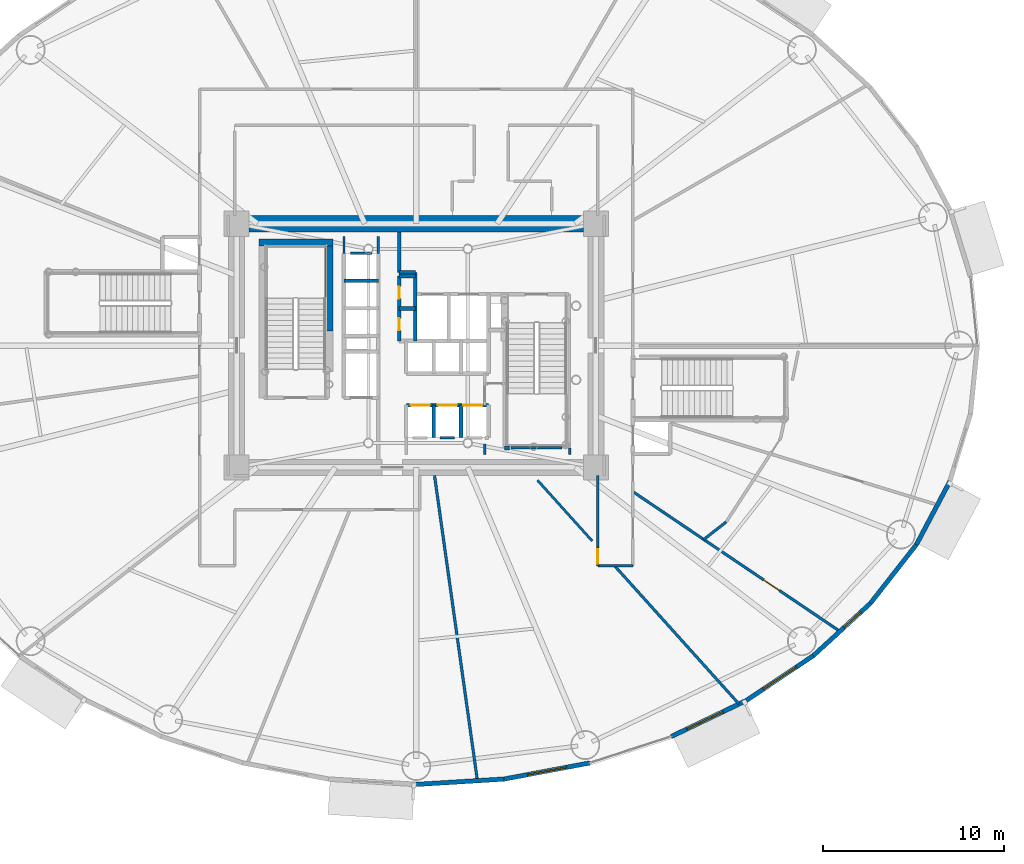
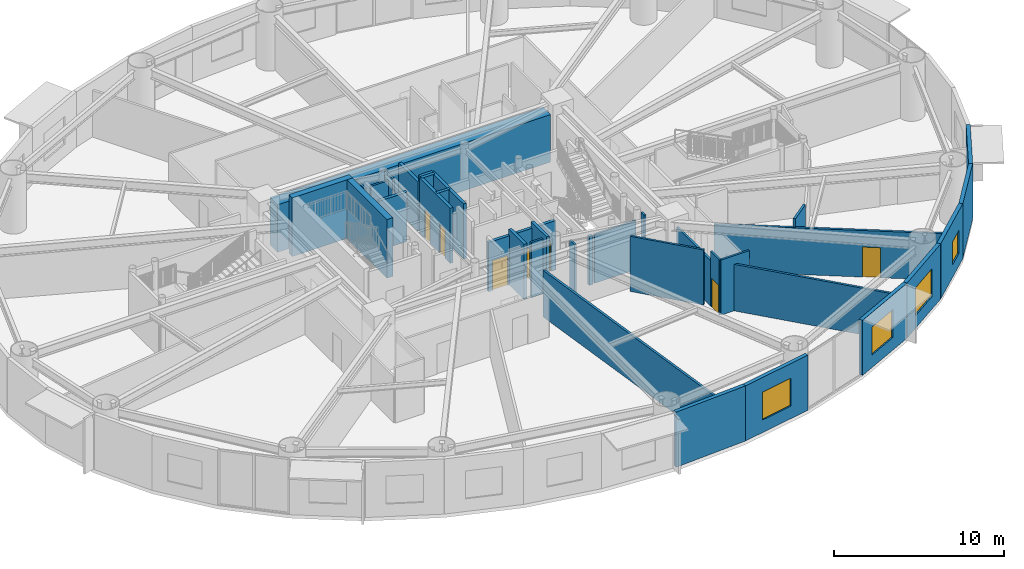
# One storey, part 14 of 29: 36 walls, 7 doors, 4 windows, 11 openings.
"""IFC4 building model written with IfcOpenShell, lengths in metres."""

import ifcopenshell
import ifcopenshell.guid

model = None  # the IFC model being written
_history = None  # IfcOwnerHistory: only IFC2X3 demands one
_inside = {}  # id of a spatial element -> (the spatial element, [elements in it])
_under = {}  # id of a project, library or spatial element -> (it, [spatial elements below it])
_declared = {}  # id of a project -> (the project, [libraries it declares])
_typed = {}  # id of a type object -> (the type object, [elements of that type])
_made_of = {}  # id of a material, layer set ... -> (it, [elements and type objects made of it])


def new_model(schema):
    """Start an empty IFC model of exactly this schema.

    Asked for "IFC4X3", IfcOpenShell would pick the latest addendum, in which some entities
    have other attributes; the version numbers below select the first issue.
    IFC2X3 requires an IfcOwnerHistory on every rooted entity: one is made here for all.
    """
    global model, _history
    if schema == "IFC4X3":
        model = ifcopenshell.file(schema_version=(4, 3, 0, 0))
    else:
        model = ifcopenshell.file(schema=schema)
    _inside.clear()
    _under.clear()
    _declared.clear()
    _typed.clear()
    _made_of.clear()
    _history = None
    if model.schema == "IFC2X3":
        org = make("IfcOrganization", Name="unknown")
        user = make(
            "IfcPersonAndOrganization",
            ThePerson=make("IfcPerson", FamilyName="unknown"),
            TheOrganization=org,
        )
        app = make(
            "IfcApplication",
            ApplicationDeveloper=org,
            Version="unknown",
            ApplicationFullName="unknown",
            ApplicationIdentifier="unknown",
        )
        _history = make(
            "IfcOwnerHistory",
            OwningUser=user,
            OwningApplication=app,
            ChangeAction="ADDED",
            CreationDate=0,
        )
    return model


def make(cls, **values):
    """One entity of the class cls with the attributes given. An attribute that is None is left unset."""
    return model.create_entity(
        cls, **{name: value for name, value in values.items() if value is not None}
    )


def rooted(cls, **values):
    """An entity with a GlobalId (a new one), such as an element, a storey or a relation."""
    return make(cls, GlobalId=ifcopenshell.guid.new(), OwnerHistory=_history, **values)


def si_unit(unit_type, name, prefix=None):
    """IfcSIUnit, for example si_unit("LENGTHUNIT", "METRE", prefix="MILLI")."""
    return make("IfcSIUnit", UnitType=unit_type, Prefix=prefix, Name=name)


def assignment(units):
    """IfcUnitAssignment: the units of a project."""
    return None if units is None else make("IfcUnitAssignment", Units=units)


def point(xyz):
    """IfcCartesianPoint."""
    return None if xyz is None else make("IfcCartesianPoint", Coordinates=xyz)


def direction(xyz):
    """IfcDirection."""
    return None if xyz is None else make("IfcDirection", DirectionRatios=xyz)


def frame(location, z_axis=None, x_axis=None):
    """IfcAxis2Placement3D, a coordinate frame: its origin and axes. An axis left out is left unset."""
    return make(
        "IfcAxis2Placement3D",
        Location=point(location),
        Axis=direction(z_axis),
        RefDirection=direction(x_axis),
    )


def frame_2d(location, x_axis=None):
    """IfcAxis2Placement2D, a coordinate frame in the plane: its origin and x axis."""
    return make(
        "IfcAxis2Placement2D", Location=point(location), RefDirection=direction(x_axis)
    )


def origin():
    """The frame at (0, 0, 0) with its axes left unset."""
    return frame((0.0, 0.0, 0.0))


def origin_2d():
    """The frame at (0, 0) in the plane with its x axis left unset."""
    return frame_2d((0.0, 0.0))


def place(relative_to, where):
    """IfcLocalPlacement: puts the frame where relative to a parent placement (None: the world)."""
    return make(
        "IfcLocalPlacement", PlacementRelTo=relative_to, RelativePlacement=where
    )


def context(
    kind, dimensions, precision=None, world=None, true_north=None, identifier=None
):
    """IfcGeometricRepresentationContext, for example the 3D "Model" context."""
    return make(
        "IfcGeometricRepresentationContext",
        ContextIdentifier=identifier,
        ContextType=kind,
        CoordinateSpaceDimension=dimensions,
        Precision=precision,
        WorldCoordinateSystem=world,
        TrueNorth=true_north,
    )


def subcontext(parent, identifier, kind, view, scale=None):
    """IfcGeometricRepresentationSubContext, for example "Body" below "Model"."""
    return make(
        "IfcGeometricRepresentationSubContext",
        ContextIdentifier=identifier,
        ContextType=kind,
        ParentContext=parent,
        TargetScale=scale,
        TargetView=view,
    )


def project(units=None, contexts=None):
    """IfcProject with its units and contexts."""
    return rooted(
        "IfcProject",
        Name="project",
        RepresentationContexts=contexts,
        UnitsInContext=assignment(units),
    )


def spatial(cls, under=None, at=None, **own):
    """A site, building, storey or space (cls), placed at a placement, below another one or the project."""
    s = rooted(cls, ObjectPlacement=at, **own)
    if under is not None:
        _under.setdefault(under.id(), (under, []))[1].append(s)
    return s


def profile(cls, at=None, kind="AREA", **sizes):
    """A parametric profile (cls). Its sizes go by their IFC names, for example OverallWidth=200.0."""
    return make(cls, ProfileType=kind, Position=at, **sizes)


def rectangle(**sizes):
    """IfcRectangleProfileDef."""
    return profile("IfcRectangleProfileDef", **sizes)


def extrude(swept, where, along, depth):
    """IfcExtrudedAreaSolid: the profile swept, set in the frame where, extruded along a direction by depth."""
    return make(
        "IfcExtrudedAreaSolid",
        SweptArea=swept,
        Position=where,
        ExtrudedDirection=direction(along),
        Depth=depth,
    )


def shape(context_of_items, identifier, shape_type, items):
    """IfcShapeRepresentation: the items that make up one representation, for example the "Body"."""
    return make(
        "IfcShapeRepresentation",
        ContextOfItems=context_of_items,
        RepresentationIdentifier=identifier,
        RepresentationType=shape_type,
        Items=items,
    )


def source(mapping_origin, context_of_items, identifier, shape_type, items):
    """IfcRepresentationMap: a shape defined once, which mapped items show again and again."""
    return make(
        "IfcRepresentationMap",
        MappingOrigin=mapping_origin,
        MappedRepresentation=shape(context_of_items, identifier, shape_type, items),
    )


def transform(
    local_origin,
    x_axis=None,
    y_axis=None,
    z_axis=None,
    scale=None,
    scale2=None,
    scale3=None,
    uniform=True,
):
    """IfcCartesianTransformationOperator3D, or its non-uniform kind. x_axis, y_axis, z_axis: its Axis1, 2, 3."""
    if uniform:
        return make(
            "IfcCartesianTransformationOperator3D",
            Axis1=direction(x_axis),
            Axis2=direction(y_axis),
            LocalOrigin=point(local_origin),
            Scale=scale,
            Axis3=direction(z_axis),
        )
    return make(
        "IfcCartesianTransformationOperator3DnonUniform",
        Axis1=direction(x_axis),
        Axis2=direction(y_axis),
        LocalOrigin=point(local_origin),
        Scale=scale,
        Axis3=direction(z_axis),
        Scale2=scale2,
        Scale3=scale3,
    )


def mapped(mapping_source, mapping_target):
    """IfcMappedItem: shows the shape of a source again, moved by a transform."""
    return make(
        "IfcMappedItem", MappingSource=mapping_source, MappingTarget=mapping_target
    )


def material(Name=None, Category=None):
    """IfcMaterial."""
    return make("IfcMaterial", Name=Name, Category=Category)


def layer(
    of_material, thickness, ventilated=None, Name=None, Category=None, Priority=None
):
    """IfcMaterialLayer: one layer of a wall or slab, of a material (None: an air gap)."""
    return make(
        "IfcMaterialLayer",
        Material=of_material,
        LayerThickness=thickness,
        IsVentilated=ventilated,
        Name=Name,
        Category=Category,
        Priority=Priority,
    )


def layer_set(layers, Name=None):
    """IfcMaterialLayerSet."""
    return make("IfcMaterialLayerSet", MaterialLayers=layers, LayerSetName=Name)


def made_of(thing, what):
    """Note that an element or type object is made of a material, layer set ...; save() writes the relation."""
    if what is not None:
        _made_of.setdefault(what.id(), (what, []))[1].append(thing)
    return thing


def type_object(cls, material=None, **own):
    """A type object (cls), such as IfcWallType, which elements share."""
    return made_of(rooted(cls, **own), material)


def element(
    cls,
    number,
    at=None,
    inside=None,
    cuts=None,
    type_object=None,
    material=None,
    context=None,
    identifier="Body",
    shape_type=None,
    held_by="IfcProductDefinitionShape",
    body=None,
    shapes=None,
    **own,
):
    """One element of the class cls, such as IfcWall. Its Tag is "e" and its number.

    at: its placement. inside: the storey or other place that contains it. cuts: it is an
    opening in that element (IfcRelVoidsElement). A single representation is given by context,
    identifier, shape_type and body (its items); several are given by shapes. held_by: the class
    of the entity that holds the representations. save() writes the other relations.
    """
    e = rooted(cls, Tag="e%d" % number, ObjectPlacement=at, **own)
    if body is not None:
        shapes = [shape(context, identifier, shape_type, body)]
    if shapes is not None:
        e.Representation = make(held_by, Representations=shapes)
    if inside is not None:
        _inside.setdefault(inside.id(), (inside, []))[1].append(e)
    if cuts is not None:
        rooted(
            "IfcRelVoidsElement", RelatingBuildingElement=cuts, RelatedOpeningElement=e
        )
    if type_object is not None:
        _typed.setdefault(type_object.id(), (type_object, []))[1].append(e)
    return made_of(e, material)


def fill(opening, filler):
    """IfcRelFillsElement: the door or window that sits in an opening."""
    return rooted(
        "IfcRelFillsElement",
        RelatingOpeningElement=opening,
        RelatedBuildingElement=filler,
    )


def aggregate(whole, parts):
    """IfcRelAggregates: a whole, such as a stair, and the parts it consists of."""
    return rooted("IfcRelAggregates", RelatingObject=whole, RelatedObjects=parts)


def save(model, path):
    """Write the relations noted so far, then the file.

    IfcRelAggregates (storeys below a building ...), IfcRelContainedInSpatialStructure (elements
    in a storey), IfcRelDefinesByType, IfcRelAssociatesMaterial and IfcRelDeclares: one each for
    every whole, place, type object, material and project.
    """
    for whole, parts in _under.values():
        aggregate(whole, parts)
    for where, things in _inside.values():
        rooted(
            "IfcRelContainedInSpatialStructure",
            RelatedElements=things,
            RelatingStructure=where,
        )
    for kind, things in _typed.values():
        rooted("IfcRelDefinesByType", RelatedObjects=things, RelatingType=kind)
    for what, things in _made_of.values():
        rooted("IfcRelAssociatesMaterial", RelatedObjects=things, RelatingMaterial=what)
    for by, libraries in _declared.values():
        rooted("IfcRelDeclares", RelatingContext=by, RelatedDefinitions=libraries)
    model.write(path)


model = new_model("IFC4")

# Units and contexts
model_context = context("Model", 3, precision=1e-05, world=origin(), true_north=direction((0.0, 1.0)))
body_context = subcontext(model_context, "Body", "Model", "MODEL_VIEW")
ifc_project = project(units=[si_unit("LENGTHUNIT", "METRE"), si_unit("AREAUNIT", "SQUARE_METRE"), si_unit("VOLUMEUNIT", "CUBIC_METRE"), si_unit("PLANEANGLEUNIT", "RADIAN"), si_unit("MASSUNIT", "GRAM", prefix="KILO")], contexts=[model_context])

# Site, building, storey
site_placement = place(None, origin())
site = spatial("IfcSite", under=ifc_project, at=site_placement, CompositionType="ELEMENT")
building_placement = place(site_placement, origin())
building = spatial("IfcBuilding", under=site, at=building_placement, Name="Linh Dai School and Residence Tower", CompositionType="ELEMENT")
storey_placement = place(building_placement, frame((0.0, 0.0, 45.0)))
storey = spatial("IfcBuildingStorey", under=building, at=storey_placement, Name="L10", CompositionType="ELEMENT", Elevation=45.0)

# Wall
ifc_material_1 = material(Name="Precast Concrete B45 (C35/45)", Category="concrete")
ifc_layer_1 = layer(ifc_material_1, 0.25)
ifc_layer_set_1 = layer_set([ifc_layer_1], Name="Precast Concrete B45 (C35/45)")
wall_type_1 = type_object("IfcWallType", Name="EW-TC-250", PredefinedType="SOLIDWALL", material=ifc_layer_set_1)
wall_1_placement = place(storey_placement, frame((40.865478515625, 2.994873046875, 0.0), z_axis=(0.0, 0.0, 1.0), x_axis=(-0.998106954071, -0.061502099433, 0.0)))
element("IfcWall", 1, at=wall_1_placement, inside=storey, type_object=wall_type_1, Name="L10 Terracotta Exterior Wall 31", PredefinedType="SOLIDWALL", context=body_context, shape_type="SweptSolid", body=[
    extrude(rectangle(XDim=4.874755859375, YDim=0.25, at=frame_2d((2.4375, 0.0))), origin(), (0.0, 0.0, 1.0), 3.949951171875),
])

# Wall, opening, window
wall_2_placement = place(storey_placement, frame((45.610595703125, 3.88671875, 0.0), z_axis=(0.0, 0.0, 1.0), x_axis=(-0.982791952378, -0.184715939598, 0.0)))
wall_2 = element("IfcWall", 2, at=wall_2_placement, inside=storey, type_object=wall_type_1, Name="L10 Terracotta Exterior Wall 32", PredefinedType="SOLIDWALL", context=body_context, shape_type="SweptSolid", body=[
    extrude(rectangle(XDim=4.828125, YDim=0.25, at=frame_2d((2.4140625, 0.0))), origin(), (0.0, 0.0, 1.0), 3.949951171875),
])
opening_1_placement = place(wall_2_placement, frame((1.314208984375, 0.0, 0.89990234375)))
opening_1 = element("IfcOpeningElement", 3, at=opening_1_placement, cuts=wall_2, Name="Opening W4", PredefinedType="OPENING", context=body_context, shape_type="SweptSolid", body=[
    extrude(rectangle(XDim=2.199951171875, YDim=2.0, at=origin_2d()), frame((1.10009765625, 0.135009765625, 1.0), z_axis=(0.0, -1.0, 0.0), x_axis=(1.0, 0.0, 0.0)), (0.0, 0.0, 1.0), 0.27001953125),
])
ifc_material_2 = material(Name="Acoustic Laminated Low-E Glazing", Category="glass")
window_type_1 = type_object("IfcWindowType", Name="WN-SCH-2200x2000", PartitioningType="TRIPLE_PANEL_VERTICAL", PredefinedType="WINDOW", material=ifc_material_2)
shared_shape_1 = source(origin(), body_context, "Body", "SweptSolid", [
    extrude(rectangle(XDim=2.199951171875, YDim=2.0, at=origin_2d()), frame((1.10009765625, 0.030029296875, 1.0), z_axis=(0.0, -1.0, 0.0), x_axis=(1.0, 0.0, 0.0)), (0.0, 0.0, 1.0), 0.06005859375),
])
window_1_placement = place(opening_1_placement, origin())
window_1 = element("IfcWindow", 4, at=window_1_placement, inside=storey, type_object=window_type_1, Name="L10 Exterior Window 32.1", OverallHeight=2.0, OverallWidth=2.199951171875, PartitioningType="TRIPLE_PANEL_VERTICAL", PredefinedType="WINDOW", context=body_context, shape_type="MappedRepresentation", body=[
    mapped(shared_shape_1, transform((0.0, 0.0, 0.0), x_axis=(1.0, 0.0, 0.0), y_axis=(0.0, 1.0, 0.0), z_axis=(0.0, 0.0, 1.0), scale=1.0)),
])
fill(opening_1, window_1)

wall_3_placement = place(storey_placement, frame((54.277099609375, 7.34423828125, 0.0), z_axis=(0.0, 0.0, 1.0), x_axis=(-0.901601503137, -0.432567601123, 0.0)))
wall_3 = element("IfcWall", 5, at=wall_3_placement, inside=storey, type_object=wall_type_1, Name="L10 Terracotta Exterior Wall 34", PredefinedType="SOLIDWALL", context=body_context, shape_type="SweptSolid", body=[
    extrude(rectangle(XDim=4.61279296875, YDim=0.25, at=frame_2d((2.306396484375, 0.0))), origin(), (0.0, 0.0, 1.0), 3.949951171875),
])
opening_2_placement = place(wall_3_placement, frame((1.444580078125, 0.0, 0.89990234375)))
opening_2 = element("IfcOpeningElement", 6, at=opening_2_placement, cuts=wall_3, Name="Opening W4", PredefinedType="OPENING", context=body_context, shape_type="SweptSolid", body=[
    extrude(rectangle(XDim=2.199951171875, YDim=2.0, at=origin_2d()), frame((1.10009765625, 0.135009765625, 1.0), z_axis=(0.0, -1.0, 0.0), x_axis=(1.0, 0.0, 0.0)), (0.0, 0.0, 1.0), 0.27001953125),
])
window_2_placement = place(opening_2_placement, origin())
window_2 = element("IfcWindow", 7, at=window_2_placement, inside=storey, type_object=window_type_1, Name="L10 Exterior Window 34.1", OverallHeight=2.0, OverallWidth=2.199951171875, PartitioningType="TRIPLE_PANEL_VERTICAL", PredefinedType="WINDOW", context=body_context, shape_type="MappedRepresentation", body=[
    mapped(shared_shape_1, transform((0.0, 0.0, 0.0), x_axis=(1.0, 0.0, 0.0), y_axis=(0.0, 1.0, 0.0), z_axis=(0.0, 0.0, 1.0), scale=1.0)),
])
fill(opening_2, window_2)

wall_4_placement = place(storey_placement, frame((57.984619140625, 9.82373046875, 0.0), z_axis=(0.0, 0.0, 1.0), x_axis=(-0.831240982525, -0.555912249343, 0.0)))
wall_4 = element("IfcWall", 8, at=wall_4_placement, inside=storey, type_object=wall_type_1, Name="L10 Terracotta Exterior Wall 35", PredefinedType="SOLIDWALL", context=body_context, shape_type="SweptSolid", body=[
    extrude(rectangle(XDim=4.460205078125, YDim=0.25, at=frame_2d((2.22998046875, 0.0))), origin(), (0.0, 0.0, 1.0), 3.949951171875),
])
opening_3_placement = place(wall_4_placement, frame((1.13037109375, 0.0, 0.89990234375)))
opening_3 = element("IfcOpeningElement", 9, at=opening_3_placement, cuts=wall_4, Name="Opening W4", PredefinedType="OPENING", context=body_context, shape_type="SweptSolid", body=[
    extrude(rectangle(XDim=2.199951171875, YDim=2.0, at=origin_2d()), frame((1.10009765625, 0.135009765625, 1.0), z_axis=(0.0, -1.0, 0.0), x_axis=(1.0, 0.0, 0.0)), (0.0, 0.0, 1.0), 0.27001953125),
])
window_3_placement = place(opening_3_placement, origin())
window_3 = element("IfcWindow", 10, at=window_3_placement, inside=storey, type_object=window_type_1, Name="L10 Exterior Window 35.1", OverallHeight=2.0, OverallWidth=2.199951171875, PartitioningType="TRIPLE_PANEL_VERTICAL", PredefinedType="WINDOW", context=body_context, shape_type="MappedRepresentation", body=[
    mapped(shared_shape_1, transform((0.0, 0.0, 0.0), x_axis=(1.0, 0.0, 0.0), y_axis=(0.0, 1.0, 0.0), z_axis=(0.0, 0.0, 1.0), scale=1.0)),
])
fill(opening_3, window_3)

wall_5_placement = place(storey_placement, frame((61.149658203125, 12.725341796875, 0.0), z_axis=(0.0, 0.0, 1.0), x_axis=(-0.737116376281, -0.67576582321, 0.0)))
wall_5 = element("IfcWall", 11, at=wall_5_placement, inside=storey, type_object=wall_type_1, Name="L10 Terracotta Exterior Wall 36", PredefinedType="SOLIDWALL", context=body_context, shape_type="SweptSolid", body=[
    extrude(rectangle(XDim=4.293701171875, YDim=0.25, at=frame_2d((2.14697265625, 0.0))), origin(), (0.0, 0.0, 1.0), 3.949951171875),
])
opening_4_placement = place(wall_5_placement, frame((0.731201171875, 0.0, 0.89990234375)))
opening_4 = element("IfcOpeningElement", 12, at=opening_4_placement, cuts=wall_5, Name="Opening W3", PredefinedType="OPENING", context=body_context, shape_type="SweptSolid", body=[
    extrude(rectangle(XDim=1.25, YDim=1.64990234375, at=origin_2d()), frame((0.625, 0.135009765625, 0.824951171875), z_axis=(0.0, -1.0, 0.0), x_axis=(1.0, 0.0, 0.0)), (0.0, 0.0, 1.0), 0.27001953125),
])
ifc_material_3 = material(Name="Double Low-E Insulated Glazing", Category="glass")
window_type_2 = type_object("IfcWindowType", Name="WN-RES-1250x1650", PartitioningType="SINGLE_PANEL", PredefinedType="WINDOW", material=ifc_material_3)
shared_shape_2 = source(origin(), body_context, "Body", "SweptSolid", [
    extrude(rectangle(XDim=1.25, YDim=1.64990234375, at=origin_2d()), frame((0.625, 0.030029296875, 0.824951171875), z_axis=(0.0, -1.0, 0.0), x_axis=(1.0, 0.0, 0.0)), (0.0, 0.0, 1.0), 0.06005859375),
])
window_4_placement = place(opening_4_placement, origin())
window_4 = element("IfcWindow", 13, at=window_4_placement, inside=storey, type_object=window_type_2, Name="L10 Exterior Window 36.1", OverallHeight=1.64990234375, OverallWidth=1.25, PartitioningType="SINGLE_PANEL", PredefinedType="WINDOW", context=body_context, shape_type="MappedRepresentation", body=[
    mapped(shared_shape_2, transform((0.0, 0.0, 0.0), x_axis=(1.0, 0.0, 0.0), y_axis=(0.0, 1.0, 0.0), z_axis=(0.0, 0.0, 1.0), scale=1.0)),
])
fill(opening_4, window_4)

# Walls
wall_6_placement = place(storey_placement, frame((63.694580078125, 15.977294921875, 0.0), z_axis=(0.0, 0.0, 1.0), x_axis=(-0.616295508253, -0.787514981767, 0.0)))
element("IfcWall", 14, at=wall_6_placement, inside=storey, type_object=wall_type_1, Name="L10 Terracotta Exterior Wall 37", PredefinedType="SOLIDWALL", context=body_context, shape_type="SweptSolid", body=[
    extrude(rectangle(XDim=4.12939453125, YDim=0.25, at=frame_2d((2.064697265625, 0.0))), origin(), (0.0, 0.0, 1.0), 3.949951171875),
])
wall_7_placement = place(storey_placement, frame((65.5576171875, 19.49853515625, 0.0), z_axis=(0.0, 0.0, 1.0), x_axis=(-0.467662443071, -0.883907144072, 0.0)))
element("IfcWall", 15, at=wall_7_placement, inside=storey, type_object=wall_type_1, Name="L10 Terracotta Exterior Wall 38", PredefinedType="SOLIDWALL", context=body_context, shape_type="SweptSolid", body=[
    extrude(rectangle(XDim=3.983642578125, YDim=0.25, at=frame_2d((1.99169921875, 0.0))), origin(), (0.0, 0.0, 1.0), 3.949951171875),
])

# Wall, opening, door
ifc_material_4 = material(Name="Autoclaved Aerated Concrete Blockwork", Category="masonry")
ifc_layer_2 = layer(ifc_material_4, 0.135009765625)
ifc_layer_set_2 = layer_set([ifc_layer_2], Name="Autoclaved Aerated Concrete Blockwork")
wall_type_2 = type_object("IfcWallType", Name="IW-CORR-135-EI90", PredefinedType="PARTITIONING", material=ifc_layer_set_2)
wall_8_placement = place(storey_placement, frame((46.050048828125, 14.800048828125, 0.0), z_axis=(0.0, 0.0, 1.0), x_axis=(0.0, 1.0, 0.0)))
wall_8 = element("IfcWall", 16, at=wall_8_placement, inside=storey, type_object=wall_type_2, Name="L10 Interior Partition Wall 057", PredefinedType="PARTITIONING", context=body_context, shape_type="SweptSolid", body=[
    extrude(rectangle(XDim=1.038330078125, YDim=0.135009765625, at=frame_2d((0.51904296875, 0.0))), origin(), (0.0, 0.0, 1.0), 3.949951171875),
])
opening_5_placement = place(wall_8_placement, frame((0.109130859375, 0.0, 0.0)))
opening_5 = element("IfcOpeningElement", 17, at=opening_5_placement, cuts=wall_8, Name="Opening D06", PredefinedType="OPENING", context=body_context, shape_type="SweptSolid", body=[
    extrude(rectangle(XDim=0.820068359375, YDim=2.10009765625, at=origin_2d()), frame((0.41015625, 0.07763671875, 1.050048828125), z_axis=(0.0, -1.0, 0.0), x_axis=(1.0, 0.0, 0.0)), (0.0, 0.0, 1.0), 0.155029296875),
])
ifc_material_5 = material(Name="Moisture-Resistant Timber Bathroom Door", Category="wood")
door_type_1 = type_object("IfcDoorType", Name="DR-WET-820x2100", OperationType="NOTDEFINED", PredefinedType="DOOR", material=ifc_material_5)
shared_shape_3 = source(origin(), body_context, "Body", "SweptSolid", [
    extrude(rectangle(XDim=0.820068359375, YDim=2.10009765625, at=origin_2d()), frame((0.41015625, 0.02490234375, 1.050048828125), z_axis=(0.0, -1.0, 0.0), x_axis=(1.0, 0.0, 0.0)), (0.0, 0.0, 1.0), 0.050048828125),
])
door_1_placement = place(opening_5_placement, origin())
door_1 = element("IfcDoor", 18, at=door_1_placement, inside=storey, type_object=door_type_1, Name="L10 Design and Architecture Studio Door", OperationType="SINGLE_SWING_RIGHT", OverallHeight=2.10009765625, OverallWidth=0.820068359375, PredefinedType="DOOR", context=body_context, shape_type="MappedRepresentation", body=[
    mapped(shared_shape_3, transform((0.0, 0.0, 0.0), x_axis=(1.0, 0.0, 0.0), y_axis=(0.0, 1.0, 0.0), z_axis=(0.0, 0.0, 1.0), scale=1.0)),
])
fill(opening_5, door_1)

# Walls
wall_9_placement = place(storey_placement, frame((46.050048828125, 14.800048828125, 0.0), z_axis=(0.0, 0.0, 1.0), x_axis=(1.0, 0.0, 0.0)))
element("IfcWall", 19, at=wall_9_placement, inside=storey, type_object=wall_type_2, Name="L10 Interior Partition Wall 058", PredefinedType="PARTITIONING", context=body_context, shape_type="SweptSolid", body=[
    extrude(rectangle(XDim=1.949951171875, YDim=0.135009765625, at=frame_2d((0.97509765625, 0.0))), origin(), (0.0, 0.0, 1.0), 3.949951171875),
])
wall_10_placement = place(storey_placement, frame((44.080078125, 21.330078125, 0.0), z_axis=(0.0, 0.0, 1.0), x_axis=(-1.0, 0.0, 0.0)))
element("IfcWall", 20, at=wall_10_placement, inside=storey, type_object=wall_type_2, Name="L10 Interior Partition Wall 074", PredefinedType="PARTITIONING", context=body_context, shape_type="SweptSolid", body=[
    extrude(rectangle(XDim=2.820068359375, YDim=0.135009765625, at=frame_2d((1.41015625, 0.0))), origin(), (0.0, 0.0, 1.0), 3.485107421875),
])
wall_11_placement = place(storey_placement, frame((38.1201171875, 21.89990234375, 0.0), z_axis=(0.0, 0.0, 1.0), x_axis=(-1.0, 0.0, 0.0)))
element("IfcWall", 21, at=wall_11_placement, inside=storey, type_object=wall_type_2, Name="L10 Interior Partition Wall 076", PredefinedType="PARTITIONING", context=body_context, shape_type="SweptSolid", body=[
    extrude(rectangle(XDim=0.800048828125, YDim=0.135009765625, at=frame_2d((0.39990234375, 0.0))), origin(), (0.0, 0.0, 1.0), 3.949951171875),
])
wall_12_placement = place(storey_placement, frame((32.360107421875, 32.10009765625, 0.0), z_axis=(0.0, 0.0, 1.0), x_axis=(1.0, 0.0, 0.0)))
element("IfcWall", 22, at=wall_12_placement, inside=storey, type_object=wall_type_2, Name="L10 Interior Partition Wall 078", PredefinedType="PARTITIONING", context=body_context, shape_type="SweptSolid", body=[
    extrude(rectangle(XDim=1.179931640625, YDim=0.135009765625, at=frame_2d((0.58984375, 0.0))), origin(), (0.0, 0.0, 1.0), 3.534912109375),
])
wall_13_placement = place(storey_placement, frame((39.800048828125, 20.9599609375, 0.0), z_axis=(0.0, 0.0, 1.0), x_axis=(0.0, 1.0, 0.0)))
element("IfcWall", 23, at=wall_13_placement, inside=storey, type_object=wall_type_2, Name="L10 Interior Partition Wall 079", PredefinedType="PARTITIONING", context=body_context, shape_type="SweptSolid", body=[
    extrude(rectangle(XDim=0.580078125, YDim=0.135009765625, at=frame_2d((0.2900390625, 0.0))), origin(), (0.0, 0.0, 1.0), 3.485107421875),
])
wall_14_placement = place(storey_placement, frame((32.0, 33.0400390625, 0.0), z_axis=(0.0, 0.0, 1.0), x_axis=(0.0, -1.0, 0.0)))
element("IfcWall", 24, at=wall_14_placement, inside=storey, type_object=wall_type_2, Name="L10 Interior Partition Wall 080", PredefinedType="PARTITIONING", context=body_context, shape_type="SweptSolid", body=[
    extrude(rectangle(XDim=0.929931640625, YDim=0.135009765625, at=frame_2d((0.46484375, 0.0))), origin(), (0.0, 0.0, 1.0), 3.485107421875),
])
wall_15_placement = place(storey_placement, frame((44.5, 20.9599609375, 0.0), z_axis=(0.0, 0.0, 1.0), x_axis=(0.0, 1.0, 0.0)))
element("IfcWall", 25, at=wall_15_placement, inside=storey, type_object=wall_type_2, Name="L10 Interior Partition Wall 081", PredefinedType="PARTITIONING", context=body_context, shape_type="SweptSolid", body=[
    extrude(rectangle(XDim=0.360107421875, YDim=0.135009765625, at=frame_2d((0.18017578125, 0.0))), origin(), (0.0, 0.0, 1.0), 3.949951171875),
])
wall_16_placement = place(storey_placement, frame((33.89990234375, 32.110107421875, 0.0), z_axis=(0.0, 0.0, 1.0), x_axis=(0.0, 1.0, 0.0)))
element("IfcWall", 26, at=wall_16_placement, inside=storey, type_object=wall_type_2, Name="L10 Interior Partition Wall 083", PredefinedType="PARTITIONING", context=body_context, shape_type="SweptSolid", body=[
    extrude(rectangle(XDim=0.929931640625, YDim=0.135009765625, at=frame_2d((0.46484375, 0.0))), origin(), (0.0, 0.0, 1.0), 3.534912109375),
])
wall_17_placement = place(storey_placement, frame((46.050048828125, 15.848388671875, 0.0), z_axis=(0.0, 0.0, 1.0), x_axis=(0.0, 1.0, 0.0)))
element("IfcWall", 27, at=wall_17_placement, inside=storey, type_object=wall_type_2, Name="L10 Interior Partition Wall 087", PredefinedType="PARTITIONING", context=body_context, shape_type="SweptSolid", body=[
    extrude(rectangle(XDim=3.95166015625, YDim=0.135009765625, at=frame_2d((1.975830078125, 0.0))), origin(), (0.0, 0.0, 1.0), 3.284912109375),
])
wall_18_placement = place(storey_placement, frame((42.717041015625, 19.5400390625, 0.0), z_axis=(0.0, 0.0, 1.0), x_axis=(0.669122827361, -0.743151829645, 0.0)))
element("IfcWall", 28, at=wall_18_placement, inside=storey, type_object=wall_type_2, Name="L10 Interior Partition Wall 104", PredefinedType="PARTITIONING", context=body_context, shape_type="SweptSolid", body=[
    extrude(rectangle(XDim=4.521484375, YDim=0.135009765625, at=frame_2d((2.2607421875, 0.0))), origin(), (0.0, 0.0, 1.0), 3.949951171875),
])
ifc_layer_3 = layer(ifc_material_4, 0.14990234375)
ifc_layer_set_3 = layer_set([ifc_layer_3], Name="Autoclaved Aerated Concrete Blockwork")
wall_type_3 = type_object("IfcWallType", Name="IW-SCH-150-EI60", PredefinedType="PARTITIONING", material=ifc_layer_set_3)
wall_19_placement = place(storey_placement, frame((37.011962890625, 19.800048828125, 0.0), z_axis=(0.0, 0.0, 1.0), x_axis=(0.139168038406, -0.990268780224, 0.0)))
element("IfcWall", 29, at=wall_19_placement, inside=storey, type_object=wall_type_3, Name="L10 Interior Partition Wall 043", PredefinedType="PARTITIONING", context=body_context, shape_type="SweptSolid", body=[
    extrude(rectangle(XDim=17.0673828125, YDim=0.14990234375, at=frame_2d((8.53369140625, 0.0))), origin(), (0.0, 0.0, 1.0), 3.3349609375),
])
wall_20_placement = place(storey_placement, frame((46.98486328125, 14.800048828125, 0.0), z_axis=(0.0, 0.0, 1.0), x_axis=(0.669133664768, -0.743142071662, 0.0)))
element("IfcWall", 30, at=wall_20_placement, inside=storey, type_object=wall_type_3, Name="L10 Interior Partition Wall 059", PredefinedType="PARTITIONING", context=body_context, shape_type="SweptSolid", body=[
    extrude(rectangle(XDim=10.298828125, YDim=0.14990234375, at=frame_2d((5.1494140625, 0.0))), origin(), (0.0, 0.0, 1.0), 3.3349609375),
])

# Wall, opening, door
wall_21_placement = place(storey_placement, frame((48.0, 18.906005859375, 0.0), z_axis=(0.0, 0.0, 1.0), x_axis=(0.829036724814, -0.559194160296, 0.0)))
wall_21 = element("IfcWall", 31, at=wall_21_placement, inside=storey, type_object=wall_type_3, Name="L10 Interior Partition Wall 061", PredefinedType="PARTITIONING", context=body_context, shape_type="SweptSolid", body=[
    extrude(rectangle(XDim=13.828125, YDim=0.14990234375, at=frame_2d((6.9140625, 0.0))), origin(), (0.0, 0.0, 1.0), 3.3349609375),
])
opening_6_placement = place(wall_21_placement, frame((8.7333984375, 0.0, 0.0)))
opening_6 = element("IfcOpeningElement", 32, at=opening_6_placement, cuts=wall_21, Name="Opening D04", PredefinedType="OPENING", context=body_context, shape_type="SweptSolid", body=[
    extrude(rectangle(XDim=1.050048828125, YDim=2.14990234375, at=origin_2d()), frame((0.52490234375, 0.0849609375, 1.074951171875), z_axis=(0.0, -1.0, 0.0), x_axis=(1.0, 0.0, 0.0)), (0.0, 0.0, 1.0), 0.169921875),
])
ifc_material_6 = material(Name="Acoustic Vision-Panel Timber Classroom Door", Category="wood")
door_type_2 = type_object("IfcDoorType", Name="DR-SCH-1050x2150-FD60S", OperationType="NOTDEFINED", PredefinedType="DOOR", material=ifc_material_6)
shared_shape_4 = source(origin(), body_context, "Body", "SweptSolid", [
    extrude(rectangle(XDim=1.050048828125, YDim=2.14990234375, at=origin_2d()), frame((0.52490234375, 0.02490234375, 1.074951171875), z_axis=(0.0, -1.0, 0.0), x_axis=(1.0, 0.0, 0.0)), (0.0, 0.0, 1.0), 0.050048828125),
])
door_2_placement = place(opening_6_placement, origin())
door_2 = element("IfcDoor", 33, at=door_2_placement, inside=storey, type_object=door_type_2, Name="L10 Resource Study Room BWC Door", OperationType="SINGLE_SWING_LEFT", OverallHeight=2.14990234375, OverallWidth=1.050048828125, PredefinedType="DOOR", context=body_context, shape_type="MappedRepresentation", body=[
    mapped(shared_shape_4, transform((0.0, 0.0, 0.0), x_axis=(1.0, 0.0, 0.0), y_axis=(0.0, 1.0, 0.0), z_axis=(0.0, 0.0, 1.0), scale=1.0)),
])
fill(opening_6, door_2)

# Walls
wall_22_placement = place(storey_placement, frame((51.92041015625, 16.26171875, 0.0), z_axis=(0.0, 0.0, 1.0), x_axis=(0.787325584525, 0.616537447324, 0.0)))
element("IfcWall", 34, at=wall_22_placement, inside=storey, type_object=wall_type_3, Name="L10 Interior Partition Wall 069", PredefinedType="PARTITIONING", context=body_context, shape_type="SweptSolid", body=[
    extrude(rectangle(XDim=1.57958984375, YDim=0.14990234375, at=frame_2d((0.789794921875, 0.0))), origin(), (0.0, 0.0, 1.0), 3.949951171875),
])
ifc_material_7 = material(Name="Concrete B45 (C35/45)", Category="concrete")
ifc_layer_4 = layer(ifc_material_7, 0.199951171875)
ifc_layer_set_4 = layer_set([ifc_layer_4], Name="Concrete B45 (C35/45)")
wall_type_4 = type_object("IfcWallType", Name="IW-SHAFT-200-EI120", PredefinedType="PARTITIONING", material=ifc_layer_set_4)
wall_23_placement = place(storey_placement, frame((32.0, 30.580078125, 0.0), z_axis=(0.0, 0.0, 1.0), x_axis=(1.0, 0.0, 0.0)))
element("IfcWall", 35, at=wall_23_placement, inside=storey, type_object=wall_type_4, Name="L10 Interior Partition Wall 025", PredefinedType="PARTITIONING", context=body_context, shape_type="SweptSolid", body=[
    extrude(rectangle(XDim=1.89990234375, YDim=0.199951171875, at=frame_2d((0.949951171875, 0.0))), origin(), (0.0, 0.0, 1.0), 3.534912109375),
])

# Wall, openings, doors
wall_24_placement = place(storey_placement, frame((35.050048828125, 27.25, 0.0), z_axis=(0.0, 0.0, 1.0), x_axis=(0.0, 1.0, 0.0)))
wall_24 = element("IfcWall", 36, at=wall_24_placement, inside=storey, type_object=wall_type_4, Name="L10 Interior Partition Wall 027", PredefinedType="PARTITIONING", context=body_context, shape_type="SweptSolid", body=[
    extrude(rectangle(XDim=3.60009765625, YDim=0.199951171875, at=frame_2d((1.800048828125, 0.0))), origin(), (0.0, 0.0, 1.0), 3.949951171875),
])
opening_7_placement = place(wall_24_placement, frame((0.590087890625, 0.0, 0.0)))
opening_7 = element("IfcOpeningElement", 37, at=opening_7_placement, cuts=wall_24, Name="Opening AD1", PredefinedType="OPENING", context=body_context, shape_type="SweptSolid", body=[
    extrude(rectangle(XDim=0.659912109375, YDim=2.050048828125, at=origin_2d()), frame((0.330078125, 0.10986328125, 1.02490234375), z_axis=(0.0, -1.0, 0.0), x_axis=(1.0, 0.0, 0.0)), (0.0, 0.0, 1.0), 0.219970703125),
])
opening_8_placement = place(wall_24_placement, frame((2.35009765625, 0.0, 0.0)))
opening_8 = element("IfcOpeningElement", 38, at=opening_8_placement, cuts=wall_24, Name="Opening AD1", PredefinedType="OPENING", context=body_context, shape_type="SweptSolid", body=[
    extrude(rectangle(XDim=0.659912109375, YDim=2.050048828125, at=origin_2d()), frame((0.330078125, 0.10986328125, 1.02490234375), z_axis=(0.0, -1.0, 0.0), x_axis=(1.0, 0.0, 0.0)), (0.0, 0.0, 1.0), 0.219970703125),
])
ifc_material_8 = material(Name="Fire-Rated Steel Riser Access Door", Category="steel")
door_type_3 = type_object("IfcDoorType", Name="DR-ACC-660x2050-FD90S", OperationType="NOTDEFINED", PredefinedType="USERDEFINED", material=ifc_material_8)
shared_shape_5 = source(origin(), body_context, "Body", "SweptSolid", [
    extrude(rectangle(XDim=0.659912109375, YDim=2.050048828125, at=origin_2d()), frame((0.330078125, 0.02490234375, 1.02490234375), z_axis=(0.0, -1.0, 0.0), x_axis=(1.0, 0.0, 0.0)), (0.0, 0.0, 1.0), 0.050048828125),
])
door_3_placement = place(opening_7_placement, origin())
door_3 = element("IfcDoor", 39, at=door_3_placement, inside=storey, type_object=door_type_3, Name="L10 Telecom and Data Riser Access Door", ObjectType="ACCESS DOOR", OperationType="SINGLE_SWING_LEFT", OverallHeight=2.050048828125, OverallWidth=0.659912109375, PredefinedType="USERDEFINED", context=body_context, shape_type="MappedRepresentation", body=[
    mapped(shared_shape_5, transform((0.0, 0.0, 0.0), x_axis=(1.0, 0.0, 0.0), y_axis=(0.0, 1.0, 0.0), z_axis=(0.0, 0.0, 1.0), scale=1.0)),
])
fill(opening_7, door_3)
door_4_placement = place(opening_8_placement, origin())
door_4 = element("IfcDoor", 40, at=door_4_placement, inside=storey, type_object=door_type_3, Name="L10 Mechanical and Plumbing Riser Access Door", ObjectType="ACCESS DOOR", OperationType="SINGLE_SWING_RIGHT", OverallHeight=2.050048828125, OverallWidth=0.659912109375, PredefinedType="USERDEFINED", context=body_context, shape_type="MappedRepresentation", body=[
    mapped(shared_shape_5, transform((0.0, 0.0, 0.0), x_axis=(1.0, 0.0, 0.0), y_axis=(0.0, 1.0, 0.0), z_axis=(0.0, 0.0, 1.0), scale=1.0)),
])
fill(opening_8, door_4)

# Walls
for number, where, z_axis, x_axis, name in (
    (41, (35.050048828125, 29.050048828125, 0.0), (0.0, 0.0, 1.0), (1.0, 0.0, 0.0), "L10 Interior Partition Wall 029"),
    (42, (35.050048828125, 30.85009765625, 0.0), (0.0, 0.0, 1.0), (1.0, 0.0, 0.0), "L10 Interior Partition Wall 030"),
):
    element("IfcWall", number, at=place(storey_placement, frame(where, z_axis=z_axis, x_axis=x_axis)), inside=storey, type_object=wall_type_4, Name=name, PredefinedType="PARTITIONING", context=body_context, shape_type="SweptSolid", body=[
        extrude(rectangle(XDim=0.89990234375, YDim=0.199951171875, at=frame_2d((0.449951171875, 0.0))), origin(), (0.0, 0.0, 1.0), 3.949951171875),
    ])
wall_25_placement = place(storey_placement, frame((35.050048828125, 31.050048828125, 0.0), z_axis=(0.0, 0.0, 1.0), x_axis=(0.0, 1.0, 0.0)))
element("IfcWall", 43, at=wall_25_placement, inside=storey, type_object=wall_type_4, Name="L10 Interior Partition Wall 031", PredefinedType="PARTITIONING", context=body_context, shape_type="SweptSolid", body=[
    extrude(rectangle(XDim=2.25, YDim=0.199951171875, at=frame_2d((1.125, 0.0))), origin(), (0.0, 0.0, 1.0), 3.534912109375),
])
wall_26_placement = place(storey_placement, frame((35.050048828125, 31.050048828125, 0.0), z_axis=(0.0, 0.0, 1.0), x_axis=(1.0, 0.0, 0.0)))
element("IfcWall", 44, at=wall_26_placement, inside=storey, type_object=wall_type_4, Name="L10 Interior Partition Wall 032", PredefinedType="PARTITIONING", context=body_context, shape_type="SweptSolid", body=[
    extrude(rectangle(XDim=0.89990234375, YDim=0.199951171875, at=frame_2d((0.449951171875, 0.0))), origin(), (0.0, 0.0, 1.0), 3.949951171875),
])

# Wall, openings, doors
wall_27_placement = place(storey_placement, frame((35.449951171875, 23.699951171875, 0.0), z_axis=(0.0, 0.0, 1.0), x_axis=(1.0, 0.0, 0.0)))
wall_27 = element("IfcWall", 45, at=wall_27_placement, inside=storey, type_object=wall_type_4, Name="L10 Interior Partition Wall 034", PredefinedType="PARTITIONING", context=body_context, shape_type="SweptSolid", body=[
    extrude(rectangle(XDim=4.550048828125, YDim=0.199951171875, at=frame_2d((2.27490234375, 0.0))), origin(), (0.0, 0.0, 1.0), 3.534912109375),
])
opening_9_placement = place(wall_27_placement, frame((0.25, 0.0, 0.0)))
opening_9 = element("IfcOpeningElement", 46, at=opening_9_placement, cuts=wall_27, Name="Opening LD-PL1", PredefinedType="OPENING", context=body_context, shape_type="SweptSolid", body=[
    extrude(rectangle(XDim=1.050048828125, YDim=2.14990234375, at=origin_2d()), frame((0.52490234375, 0.10986328125, 1.074951171875), z_axis=(0.0, -1.0, 0.0), x_axis=(1.0, 0.0, 0.0)), (0.0, 0.0, 1.0), 0.219970703125),
])
opening_10_placement = place(wall_27_placement, frame((1.7451171875, 0.0, 0.0)))
opening_10 = element("IfcOpeningElement", 47, at=opening_10_placement, cuts=wall_27, Name="Opening LD-PL2", PredefinedType="OPENING", context=body_context, shape_type="SweptSolid", body=[
    extrude(rectangle(XDim=1.050048828125, YDim=2.14990234375, at=origin_2d()), frame((0.52490234375, 0.10986328125, 1.074951171875), z_axis=(0.0, -1.0, 0.0), x_axis=(1.0, 0.0, 0.0)), (0.0, 0.0, 1.0), 0.219970703125),
])
opening_11_placement = place(wall_27_placement, frame((3.1650390625, 0.0, 0.0)))
opening_11 = element("IfcOpeningElement", 48, at=opening_11_placement, cuts=wall_27, Name="Opening LD-PL3", PredefinedType="OPENING", context=body_context, shape_type="SweptSolid", body=[
    extrude(rectangle(XDim=1.050048828125, YDim=2.14990234375, at=origin_2d()), frame((0.52490234375, 0.10986328125, 1.074951171875), z_axis=(0.0, -1.0, 0.0), x_axis=(1.0, 0.0, 0.0)), (0.0, 0.0, 1.0), 0.219970703125),
])
ifc_material_9 = material(Name="Brushed Stainless Steel Lift Landing Door", Category="steel")
door_type_4 = type_object("IfcDoorType", Name="DR-LD-PASS-1050x2150", OperationType="DOUBLE_DOOR_SLIDING", PredefinedType="USERDEFINED", material=ifc_material_9)
shared_shape_6 = source(origin(), body_context, "Body", "SweptSolid", [
    extrude(rectangle(XDim=1.050048828125, YDim=2.14990234375, at=origin_2d()), frame((0.52490234375, 0.02490234375, 1.074951171875), z_axis=(0.0, -1.0, 0.0), x_axis=(1.0, 0.0, 0.0)), (0.0, 0.0, 1.0), 0.050048828125),
])
door_5_placement = place(opening_9_placement, origin())
door_5 = element("IfcDoor", 49, at=door_5_placement, inside=storey, type_object=door_type_4, Name="L10 Lift PL1 Sliding Landing Door", ObjectType="LANDING DOOR", OperationType="DOUBLE_DOOR_SLIDING", OverallHeight=2.14990234375, OverallWidth=1.050048828125, PredefinedType="USERDEFINED", context=body_context, shape_type="MappedRepresentation", body=[
    mapped(shared_shape_6, transform((0.0, 0.0, 0.0), x_axis=(1.0, 0.0, 0.0), y_axis=(0.0, 1.0, 0.0), z_axis=(0.0, 0.0, 1.0), scale=1.0)),
])
fill(opening_9, door_5)
door_6_placement = place(opening_10_placement, origin())
door_6 = element("IfcDoor", 50, at=door_6_placement, inside=storey, type_object=door_type_4, Name="L10 Lift PL2 Sliding Landing Door", ObjectType="LANDING DOOR", OperationType="DOUBLE_DOOR_SLIDING", OverallHeight=2.14990234375, OverallWidth=1.050048828125, PredefinedType="USERDEFINED", context=body_context, shape_type="MappedRepresentation", body=[
    mapped(shared_shape_6, transform((0.0, 0.0, 0.0), x_axis=(1.0, 0.0, 0.0), y_axis=(0.0, 1.0, 0.0), z_axis=(0.0, 0.0, 1.0), scale=1.0)),
])
fill(opening_10, door_6)
door_7_placement = place(opening_11_placement, origin())
door_7 = element("IfcDoor", 51, at=door_7_placement, inside=storey, type_object=door_type_4, Name="L10 Lift PL3 Sliding Landing Door", ObjectType="LANDING DOOR", OperationType="DOUBLE_DOOR_SLIDING", OverallHeight=2.14990234375, OverallWidth=1.050048828125, PredefinedType="USERDEFINED", context=body_context, shape_type="MappedRepresentation", body=[
    mapped(shared_shape_6, transform((0.0, 0.0, 0.0), x_axis=(1.0, 0.0, 0.0), y_axis=(0.0, 1.0, 0.0), z_axis=(0.0, 0.0, 1.0), scale=1.0)),
])
fill(opening_11, door_7)

# Walls
wall_28_placement = place(storey_placement, frame((35.949951171875, 27.25, 0.0), z_axis=(0.0, 0.0, 1.0), x_axis=(0.0, 1.0, 0.0)))
element("IfcWall", 52, at=wall_28_placement, inside=storey, type_object=wall_type_4, Name="L10 Interior Partition Wall 037", PredefinedType="PARTITIONING", context=body_context, shape_type="SweptSolid", body=[
    extrude(rectangle(XDim=3.800048828125, YDim=0.199951171875, at=frame_2d((1.89990234375, 0.0))), origin(), (0.0, 0.0, 1.0), 3.949951171875),
])
for number, where, z_axis, x_axis, name in (
    (53, (36.9599609375, 21.89990234375, 0.0), (0.0, 0.0, 1.0), (0.0, 1.0, 0.0), "L10 Interior Partition Wall 041"),
    (54, (38.47998046875, 21.89990234375, 0.0), (0.0, 0.0, 1.0), (0.0, 1.0, 0.0), "L10 Interior Partition Wall 045"),
):
    element("IfcWall", number, at=place(storey_placement, frame(where, z_axis=z_axis, x_axis=x_axis)), inside=storey, type_object=wall_type_4, Name=name, PredefinedType="PARTITIONING", context=body_context, shape_type="SweptSolid", body=[
        extrude(rectangle(XDim=1.800048828125, YDim=0.199951171875, at=frame_2d((0.89990234375, 0.0))), origin(), (0.0, 0.0, 1.0), 3.949951171875),
    ])
wall_29_placement = place(storey_placement, frame((40.89990234375, 21.330078125, 0.0), z_axis=(0.0, 0.0, 1.0), x_axis=(1.0, 0.0, 0.0)))
element("IfcWall", 55, at=wall_29_placement, inside=storey, type_object=wall_type_4, Name="L10 Interior Partition Wall 054", PredefinedType="PARTITIONING", context=body_context, shape_type="SweptSolid", body=[
    extrude(rectangle(XDim=0.25, YDim=0.199951171875, at=frame_2d((0.125, 0.0))), origin(), (0.0, 0.0, 1.0), 3.485107421875),
])
ifc_layer_5 = layer(ifc_material_7, 0.39990234375)
ifc_layer_set_5 = layer_set([ifc_layer_5], Name="Concrete B45 (C35/45)")
wall_type_5 = type_object("IfcWallType", Name="WL-CORE400", PredefinedType="SHEAR", material=ifc_layer_set_5)
wall_30_placement = place(storey_placement, frame((31.179931640625, 27.800048828125, 0.0), z_axis=(0.0, 0.0, 1.0), x_axis=(0.0, 1.0, 0.0)))
element("IfcWall", 56, at=wall_30_placement, inside=storey, type_object=wall_type_5, Name="L10 Core Stair ST1 Bearing Wall E", PredefinedType="SHEAR", context=body_context, shape_type="SweptSolid", body=[
    extrude(rectangle(XDim=4.89990234375, YDim=0.39990234375, at=frame_2d((2.449951171875, 0.0))), origin(), (0.0, 0.0, 1.0), 4.199951171875),
])
wall_31_placement = place(storey_placement, frame((27.280029296875, 32.699951171875, 0.0), z_axis=(0.0, 0.0, 1.0), x_axis=(1.0, 0.0, 0.0)))
element("IfcWall", 57, at=wall_31_placement, inside=storey, type_object=wall_type_5, Name="L10 Core Stair ST1 Bearing Wall N", PredefinedType="SHEAR", context=body_context, shape_type="SweptSolid", body=[
    extrude(rectangle(XDim=4.099853515625, YDim=0.39990234375, at=frame_2d((2.0498046875, 0.0))), origin(), (0.0, 0.0, 1.0), 4.199951171875),
])
ifc_material_10 = material(Name="Concrete B60 (C50/60)", Category="concrete")
ifc_layer_6 = layer(ifc_material_10, 0.89990234375)
ifc_layer_set_6 = layer_set([ifc_layer_6], Name="Concrete B60 (C50/60)")
wall_type_6 = type_object("IfcWallType", Name="WL-CORE900", PredefinedType="SHEAR", material=ifc_layer_set_6)
wall_32_placement = place(storey_placement, frame((26.75, 33.75, 0.0), z_axis=(0.0, 0.0, 1.0), x_axis=(1.0, 0.0, 0.0)))
element("IfcWall", 58, at=wall_32_placement, inside=storey, type_object=wall_type_6, Name="L10 Central Core Shear Wall N", PredefinedType="SHEAR", context=body_context, shape_type="SweptSolid", body=[
    extrude(rectangle(XDim=18.5, YDim=0.89990234375, at=frame_2d((9.25, 0.0))), origin(), (0.0, 0.0, 1.0), 3.39990234375),
])

save(model, "model.ifc")
